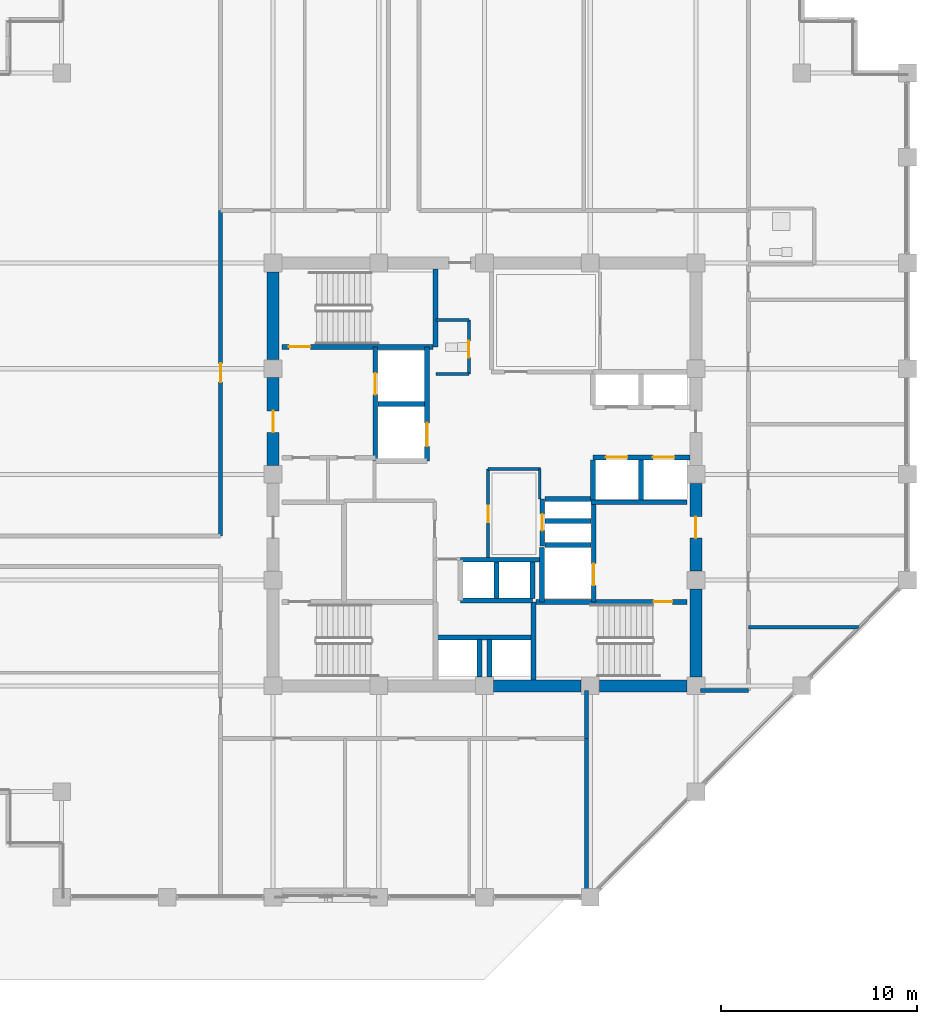
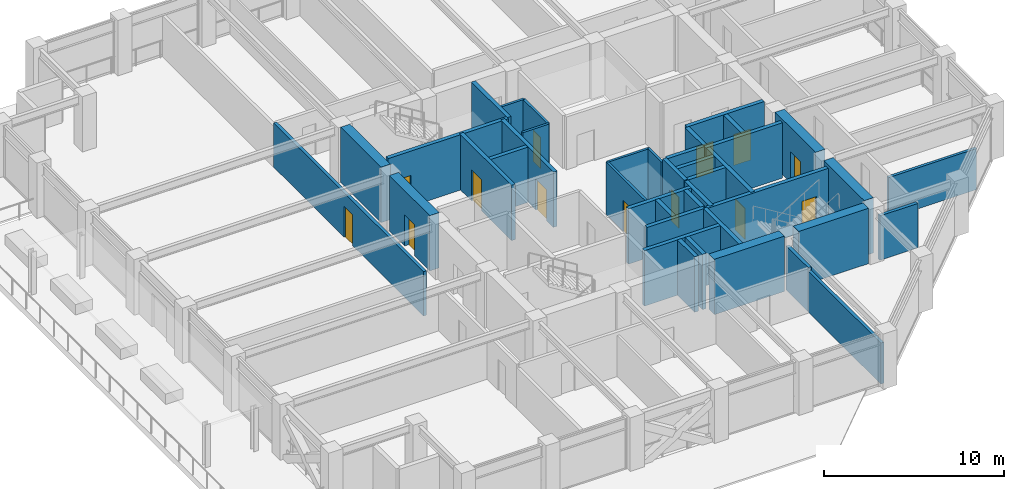
# One storey, part 26 of 36: 41 walls, 13 doors, 13 openings.
"""IFC4 building model written with IfcOpenShell, lengths in metres."""

from ifc_helpers import new_model, si_unit, direction, frame, frame_2d, origin, place, context, subcontext, project, spatial, rectangle, extrude, material, layer, layer_set, type_object, element, fill, save


model = new_model("IFC4")

# Units and contexts
model_context = context("Model", 3, precision=1e-05, world=origin(), true_north=direction((0.0, 1.0)))
body_context = subcontext(model_context, "Body", "Model", "MODEL_VIEW")
ifc_project = project(units=[si_unit("LENGTHUNIT", "METRE"), si_unit("AREAUNIT", "SQUARE_METRE"), si_unit("VOLUMEUNIT", "CUBIC_METRE"), si_unit("PLANEANGLEUNIT", "RADIAN"), si_unit("MASSUNIT", "GRAM", prefix="KILO")], contexts=[model_context])

# Site, building, storey
site_placement = place(None, origin())
site = spatial("IfcSite", under=ifc_project, at=site_placement, CompositionType="ELEMENT")
building_placement = place(site_placement, origin())
building = spatial("IfcBuilding", under=site, at=building_placement, Name="Surkhivell Harbour Commons", CompositionType="ELEMENT")
storey_placement = place(building_placement, frame((0.0, 0.0, 171.0)))
storey = spatial("IfcBuildingStorey", under=building, at=storey_placement, Name="L44", CompositionType="ELEMENT", Elevation=171.0)

# Wall
ifc_material_1 = material(Name="Concrete C60/75", Category="concrete")
ifc_layer_1 = layer(ifc_material_1, 0.60009765625)
ifc_layer_set_1 = layer_set([ifc_layer_1], Name="Concrete C60/75")
wall_type_1 = type_object("IfcWallType", Name="WAL-CORE-600", PredefinedType="SHEAR", material=ifc_layer_set_1)
wall_1_placement = place(storey_placement, frame((10.800048828125, -10.340087890625, 0.0), z_axis=(0.0, 0.0, 1.0), x_axis=(0.0, 1.0, 0.0)))
element("IfcWall", 1, at=wall_1_placement, inside=storey, type_object=wall_type_1, Name="L44 Core Shear Wall East 1", PredefinedType="SHEAR", context=body_context, shape_type="SweptSolid", body=[
    extrude(rectangle(XDim=4.47998046875, YDim=0.60009765625, at=frame_2d((2.239990234375, 0.0))), origin(), (0.0, 0.0, 1.0), 3.75),
])

# Wall, opening, door
wall_2_placement = place(storey_placement, frame((10.800048828125, -4.93994140625, 0.0), z_axis=(0.0, 0.0, 1.0), x_axis=(0.0, 1.0, 0.0)))
wall_2 = element("IfcWall", 2, at=wall_2_placement, inside=storey, type_object=wall_type_1, Name="L44 Core Shear Wall East 2", PredefinedType="SHEAR", context=body_context, shape_type="SweptSolid", body=[
    extrude(rectangle(XDim=4.47998046875, YDim=0.60009765625, at=frame_2d((2.239990234375, 0.0))), origin(), (0.0, 0.0, 1.0), 3.75),
])
opening_1_placement = place(wall_2_placement, frame((1.68994140625, 0.0, 0.0)))
opening_1 = element("IfcOpeningElement", 3, at=opening_1_placement, cuts=wall_2, Name="Opening ID-1", PredefinedType="OPENING", context=body_context, shape_type="SweptSolid", body=[
    extrude(rectangle(XDim=1.10009765625, YDim=2.10009765625, at=frame_2d((0.550048828125, 1.050048828125))), frame((0.0, 0.31005859375, 0.0), z_axis=(0.0, -1.0, 0.0), x_axis=(1.0, 0.0, 0.0)), (0.0, 0.0, 1.0), 0.6201171875),
])
ifc_material_2 = material(Name="Hardwood-veneered fire-rated door leaf", Category="wood")
door_type_1 = type_object("IfcDoorType", Name="DOR-FD120-1100", OperationType="NOTDEFINED", PredefinedType="DOOR", material=ifc_material_2)
door_1_placement = place(opening_1_placement, origin())
door_1 = element("IfcDoor", 4, at=door_1_placement, inside=storey, type_object=door_type_1, Name="L44 Firefighting Lobby 2 Corridor Door", OperationType="SINGLE_SWING_RIGHT", OverallHeight=2.10009765625, OverallWidth=1.10009765625, PredefinedType="DOOR", context=body_context, shape_type="SweptSolid", body=[
    extrude(rectangle(XDim=1.10009765625, YDim=2.10009765625, at=frame_2d((0.550048828125, 1.050048828125))), frame((0.0, 0.02490234375, 0.0), z_axis=(0.0, -1.0, 0.0), x_axis=(1.0, 0.0, 0.0)), (0.0, 0.0, 1.0), 0.050048828125),
])
fill(opening_1, door_1)

# Wall
wall_3_placement = place(storey_placement, frame((0.4599609375, -10.800048828125, 0.0), z_axis=(0.0, 0.0, 1.0), x_axis=(1.0, 0.0, 0.0)))
element("IfcWall", 5, at=wall_3_placement, inside=storey, type_object=wall_type_1, Name="L44 Core Shear Wall South 3", PredefinedType="SHEAR", context=body_context, shape_type="SweptSolid", body=[
    extrude(rectangle(XDim=4.47998046875, YDim=0.60009765625, at=frame_2d((2.239990234375, 0.0))), origin(), (0.0, 0.0, 1.0), 3.75),
])

# Wall, opening, door
wall_4_placement = place(storey_placement, frame((-10.800048828125, 0.4599609375, 0.0), z_axis=(0.0, 0.0, 1.0), x_axis=(0.0, 1.0, 0.0)))
wall_4 = element("IfcWall", 6, at=wall_4_placement, inside=storey, type_object=wall_type_1, Name="L44 Core Shear Wall West 3", PredefinedType="SHEAR", context=body_context, shape_type="SweptSolid", body=[
    extrude(rectangle(XDim=4.47998046875, YDim=0.60009765625, at=frame_2d((2.239990234375, 0.0))), origin(), (0.0, 0.0, 1.0), 3.75),
])
opening_2_placement = place(wall_4_placement, frame((1.68994140625, 0.0, 0.0)))
opening_2 = element("IfcOpeningElement", 7, at=opening_2_placement, cuts=wall_4, Name="Opening ID-1", PredefinedType="OPENING", context=body_context, shape_type="SweptSolid", body=[
    extrude(rectangle(XDim=1.10009765625, YDim=2.10009765625, at=frame_2d((0.550048828125, 1.050048828125))), frame((0.0, 0.31005859375, 0.0), z_axis=(0.0, -1.0, 0.0), x_axis=(1.0, 0.0, 0.0)), (0.0, 0.0, 1.0), 0.6201171875),
])
door_2_placement = place(opening_2_placement, origin())
door_2 = element("IfcDoor", 8, at=door_2_placement, inside=storey, type_object=door_type_1, Name="L44 Firefighting Lobby 1 Corridor Door", OperationType="SINGLE_SWING_LEFT", OverallHeight=2.10009765625, OverallWidth=1.10009765625, PredefinedType="DOOR", context=body_context, shape_type="SweptSolid", body=[
    extrude(rectangle(XDim=1.10009765625, YDim=2.10009765625, at=frame_2d((0.550048828125, 1.050048828125))), frame((0.0, 0.02490234375, 0.0), z_axis=(0.0, -1.0, 0.0), x_axis=(1.0, 0.0, 0.0)), (0.0, 0.0, 1.0), 0.050048828125),
])
fill(opening_2, door_2)

# Walls
for number, where, z_axis, x_axis, name in (
    (9, (5.860107421875, -10.800048828125, 0.0), (0.0, 0.0, 1.0), (1.0, 0.0, 0.0), "L44 Core Shear Wall South 4"),
    (10, (-10.800048828125, 5.860107421875, 0.0), (0.0, 0.0, 1.0), (0.0, 1.0, 0.0), "L44 Core Shear Wall West 4"),
):
    element("IfcWall", number, at=place(storey_placement, frame(where, z_axis=z_axis, x_axis=x_axis)), inside=storey, type_object=wall_type_1, Name=name, PredefinedType="SHEAR", context=body_context, shape_type="SweptSolid", body=[
        extrude(rectangle(XDim=4.47998046875, YDim=0.60009765625, at=frame_2d((2.239990234375, 0.0))), origin(), (0.0, 0.0, 1.0), 3.75),
    ])

# Wall, opening, door
ifc_material_3 = material(Name="Twin-stud acoustic fireboard partition", Category="other")
ifc_layer_2 = layer(ifc_material_3, 0.14990234375)
ifc_layer_set_2 = layer_set([ifc_layer_2], Name="Twin-stud acoustic fireboard partition")
wall_type_2 = type_object("IfcWallType", Name="WAL-INT-150", PredefinedType="PARTITIONING", material=ifc_layer_set_2)
wall_5_placement = place(storey_placement, frame((-0.800048828125, 5.1201171875, 0.0), z_axis=(0.0, 0.0, 1.0), x_axis=(0.0, 1.0, 0.0)))
wall_5 = element("IfcWall", 11, at=wall_5_placement, inside=storey, type_object=wall_type_2, Name="L44 Core Accessible WC East Wall", PredefinedType="PARTITIONING", context=body_context, shape_type="SweptSolid", body=[
    extrude(rectangle(XDim=2.759765625, YDim=0.14990234375, at=frame_2d((1.3798828125, 0.0))), origin(), (0.0, 0.0, 1.0), 3.570068359375),
])
opening_3_placement = place(wall_5_placement, frame((0.85009765625, 0.0, 0.0)))
opening_3 = element("IfcOpeningElement", 12, at=opening_3_placement, cuts=wall_5, Name="Opening ID-6", PredefinedType="OPENING", context=body_context, shape_type="SweptSolid", body=[
    extrude(rectangle(XDim=0.85009765625, YDim=2.10009765625, at=frame_2d((0.425048828125, 1.050048828125))), frame((0.0, 0.0849609375, 0.0), z_axis=(0.0, -1.0, 0.0), x_axis=(1.0, 0.0, 0.0)), (0.0, 0.0, 1.0), 0.169921875),
])
door_type_2 = type_object("IfcDoorType", Name="DOR-FD30-850", OperationType="NOTDEFINED", PredefinedType="DOOR", material=ifc_material_2)
door_3_placement = place(opening_3_placement, origin())
door_3 = element("IfcDoor", 13, at=door_3_placement, inside=storey, type_object=door_type_2, Name="L44 Floor Accessible WC Door", OperationType="SINGLE_SWING_LEFT", OverallHeight=2.10009765625, OverallWidth=0.85009765625, PredefinedType="DOOR", context=body_context, shape_type="SweptSolid", body=[
    extrude(rectangle(XDim=0.85009765625, YDim=2.10009765625, at=frame_2d((0.425048828125, 1.050048828125))), frame((0.0, 0.02490234375, 0.0), z_axis=(0.0, -1.0, 0.0), x_axis=(1.0, 0.0, 0.0)), (0.0, 0.0, 1.0), 0.050048828125),
])
fill(opening_3, door_3)

# Walls
for number, where, z_axis, x_axis, name in (
    (14, (-2.47998046875, 7.8798828125, 0.0), (0.0, 0.0, 1.0), (1.0, 0.0, 0.0), "L44 Core Accessible WC North Wall"),
    (15, (-2.47998046875, 5.1201171875, 0.0), (0.0, 0.0, 1.0), (1.0, 0.0, 0.0), "L44 Core Accessible WC South Wall"),
):
    element("IfcWall", number, at=place(storey_placement, frame(where, z_axis=z_axis, x_axis=x_axis)), inside=storey, type_object=wall_type_2, Name=name, PredefinedType="PARTITIONING", context=body_context, shape_type="SweptSolid", body=[
        extrude(rectangle(XDim=1.679931640625, YDim=0.14990234375, at=frame_2d((0.83984375, 0.0))), origin(), (0.0, 0.0, 1.0), 3.570068359375),
    ])
wall_6_placement = place(storey_placement, frame((2.820068359375, -1.25, 0.0), z_axis=(0.0, 0.0, 1.0), x_axis=(0.0, 1.0, 0.0)))
element("IfcWall", 16, at=wall_6_placement, inside=storey, type_object=wall_type_2, Name="L44 Central Music East Wall", PredefinedType="PARTITIONING", context=body_context, shape_type="SweptSolid", body=[
    extrude(rectangle(XDim=1.530029296875, YDim=0.14990234375, at=frame_2d((0.76513671875, 0.0))), origin(), (0.0, 0.0, 1.0), 3.570068359375),
])
wall_7_placement = place(storey_placement, frame((0.179931640625, 0.280029296875, 0.0), z_axis=(0.0, 0.0, 1.0), x_axis=(1.0, 0.0, 0.0)))
element("IfcWall", 17, at=wall_7_placement, inside=storey, type_object=wall_type_2, Name="L44 Central Music North Wall", PredefinedType="PARTITIONING", context=body_context, shape_type="SweptSolid", body=[
    extrude(rectangle(XDim=2.670166015625, YDim=0.14990234375, at=frame_2d((1.3349609375, 0.0))), origin(), (0.0, 0.0, 1.0), 3.570068359375),
])

# Wall, opening, door
wall_8_placement = place(storey_placement, frame((0.179931640625, -4.25, 0.0), z_axis=(0.0, 0.0, 1.0), x_axis=(0.0, 1.0, 0.0)))
wall_8 = element("IfcWall", 18, at=wall_8_placement, inside=storey, type_object=wall_type_2, Name="L44 Central Music West Wall", PredefinedType="PARTITIONING", context=body_context, shape_type="SweptSolid", body=[
    extrude(rectangle(XDim=4.530029296875, YDim=0.14990234375, at=frame_2d((2.26513671875, 0.0))), origin(), (0.0, 0.0, 1.0), 3.570068359375),
])
opening_4_placement = place(wall_8_placement, frame((1.800048828125, 0.0, 0.0)))
opening_4 = element("IfcOpeningElement", 19, at=opening_4_placement, cuts=wall_8, Name="Opening ID-6", PredefinedType="OPENING", context=body_context, shape_type="SweptSolid", body=[
    extrude(rectangle(XDim=0.85009765625, YDim=2.10009765625, at=frame_2d((0.425048828125, 1.050048828125))), frame((0.0, 0.0849609375, 0.0), z_axis=(0.0, -1.0, 0.0), x_axis=(1.0, 0.0, 0.0)), (0.0, 0.0, 1.0), 0.169921875),
])
door_4_placement = place(opening_4_placement, origin())
door_4 = element("IfcDoor", 20, at=door_4_placement, inside=storey, type_object=door_type_2, Name="L44 Central Music Door", OperationType="SINGLE_SWING_RIGHT", OverallHeight=2.10009765625, OverallWidth=0.85009765625, PredefinedType="DOOR", context=body_context, shape_type="SweptSolid", body=[
    extrude(rectangle(XDim=0.85009765625, YDim=2.10009765625, at=frame_2d((0.425048828125, 1.050048828125))), frame((0.0, 0.02490234375, 0.0), z_axis=(0.0, -1.0, 0.0), x_axis=(1.0, 0.0, 0.0)), (0.0, 0.0, 1.0), 0.050048828125),
])
fill(opening_4, door_4)

# Walls
ifc_material_4 = material(Name="High-density acoustic blockwork fire partition", Category="masonry")
ifc_layer_3 = layer(ifc_material_4, 0.175048828125)
ifc_layer_set_3 = layer_set([ifc_layer_3], Name="High-density acoustic blockwork fire partition")
wall_type_3 = type_object("IfcWallType", Name="WAL-INT-175", PredefinedType="PARTITIONING", material=ifc_layer_set_3)
wall_9_placement = place(storey_placement, frame((13.47998046875, -7.800048828125, 0.0), z_axis=(0.0, 0.0, 1.0), x_axis=(1.0, 0.0, 0.0)))
element("IfcWall", 21, at=wall_9_placement, inside=storey, type_object=wall_type_3, Name="L44 East Partition PBOT", PredefinedType="PARTITIONING", context=body_context, shape_type="SweptSolid", body=[
    extrude(rectangle(XDim=5.63525390625, YDim=0.175048828125, at=frame_2d((2.817626953125, 0.0))), origin(), (0.0, 0.0, 1.0), 2.780029296875),
])
ifc_material_5 = material(Name="Autoclaved aerated concrete blockwork and fire plaster", Category="masonry")
ifc_layer_4 = layer(ifc_material_5, 0.199951171875)
ifc_layer_set_4 = layer_set([ifc_layer_4], Name="Autoclaved aerated concrete blockwork and fire plaster")
wall_type_4 = type_object("IfcWallType", Name="WAL-INT-200", PredefinedType="PARTITIONING", material=ifc_layer_set_4)
wall_10_placement = place(storey_placement, frame((5.199951171875, -21.5400390625, 0.0), z_axis=(0.0, 0.0, 1.0), x_axis=(0.0, 1.0, 0.0)))
element("IfcWall", 22, at=wall_10_placement, inside=storey, type_object=wall_type_4, Name="L44 South-East Corner Wall", PredefinedType="PARTITIONING", context=body_context, shape_type="SweptSolid", body=[
    extrude(rectangle(XDim=8.06005859375, YDim=0.199951171875, at=frame_2d((4.030029296875, 0.0))), origin(), (0.0, 0.0, 1.0), 2.780029296875),
])
for number, where, z_axis, x_axis, name in (
    (23, (11.0400390625, -11.0400390625, 0.0), (0.0, 0.0, 1.0), (1.0, 0.0, 0.0), "L44 Corridor East South Closure Wall"),
    (24, (5.199951171875, -13.47998046875, 0.0), (0.0, 0.0, 1.0), (0.0, 1.0, 0.0), "L44 Corridor South End Wall"),
):
    element("IfcWall", number, at=place(storey_placement, frame(where, z_axis=z_axis, x_axis=x_axis)), inside=storey, type_object=wall_type_4, Name=name, PredefinedType="PARTITIONING", context=body_context, shape_type="SweptSolid", body=[
        extrude(rectangle(XDim=2.43994140625, YDim=0.199951171875, at=frame_2d((1.219970703125, 0.0))), origin(), (0.0, 0.0, 1.0), 3.006103515625),
    ])

# Wall, opening, door
wall_11_placement = place(storey_placement, frame((-13.47998046875, -3.14990234375, 0.0), z_axis=(0.0, 0.0, 1.0), x_axis=(0.0, 1.0, 0.0)))
wall_11 = element("IfcWall", 25, at=wall_11_placement, inside=storey, type_object=wall_type_4, Name="L44 Corridor West-Upper Wall", PredefinedType="PARTITIONING", context=body_context, shape_type="SweptSolid", body=[
    extrude(rectangle(XDim=16.6298828125, YDim=0.199951171875, at=frame_2d((8.31494140625, 0.0))), origin(), (0.0, 0.0, 1.0), 3.006103515625),
])
opening_5_placement = place(wall_11_placement, frame((7.864990234375, 0.0, 0.0)))
opening_5 = element("IfcOpeningElement", 26, at=opening_5_placement, cuts=wall_11, Name="Opening ID-4", PredefinedType="OPENING", context=body_context, shape_type="SweptSolid", body=[
    extrude(rectangle(XDim=0.949951171875, YDim=2.10009765625, at=frame_2d((0.47509765625, 1.050048828125))), frame((0.0, 0.10986328125, 0.0), z_axis=(0.0, -1.0, 0.0), x_axis=(1.0, 0.0, 0.0)), (0.0, 0.0, 1.0), 0.219970703125),
])
door_type_3 = type_object("IfcDoorType", Name="DOR-FD60-950", OperationType="NOTDEFINED", PredefinedType="DOOR", material=ifc_material_2)
door_5_placement = place(opening_5_placement, origin())
door_5 = element("IfcDoor", 27, at=door_5_placement, inside=storey, type_object=door_type_3, Name="L44 Harbour Social Lounge North-West Door", OperationType="SINGLE_SWING_LEFT", OverallHeight=2.10009765625, OverallWidth=0.949951171875, PredefinedType="DOOR", context=body_context, shape_type="SweptSolid", body=[
    extrude(rectangle(XDim=0.949951171875, YDim=2.10009765625, at=frame_2d((0.47509765625, 1.050048828125))), frame((0.0, 0.02490234375, 0.0), z_axis=(0.0, -1.0, 0.0), x_axis=(1.0, 0.0, 0.0)), (0.0, 0.0, 1.0), 0.050048828125),
])
fill(opening_5, door_5)

ifc_material_6 = material(Name="Concrete C50/60", Category="concrete")
ifc_layer_5 = layer(ifc_material_6, 0.25)
ifc_layer_set_5 = layer_set([ifc_layer_5], Name="Concrete C50/60")
wall_type_5 = type_object("IfcWallType", Name="WAL-SHAFT-250", PredefinedType="SHEAR", material=ifc_layer_set_5)
wall_12_placement = place(storey_placement, frame((-5.580078125, 0.719970703125, 0.0), z_axis=(0.0, 0.0, 1.0), x_axis=(0.0, 1.0, 0.0)))
wall_12 = element("IfcWall", 28, at=wall_12_placement, inside=storey, type_object=wall_type_5, Name="L44 Firefighting Lobby 1 East Shaft Wall", PredefinedType="SHEAR", context=body_context, shape_type="SweptSolid", body=[
    extrude(rectangle(XDim=5.7900390625, YDim=0.25, at=frame_2d((2.89501953125, 0.0))), origin(), (0.0, 0.0, 1.0), 3.75),
])
opening_6_placement = place(wall_12_placement, frame((3.35009765625, 0.0, 0.0)))
opening_6 = element("IfcOpeningElement", 29, at=opening_6_placement, cuts=wall_12, Name="Opening LD-1", PredefinedType="OPENING", context=body_context, shape_type="SweptSolid", body=[
    extrude(rectangle(XDim=1.10009765625, YDim=2.10009765625, at=frame_2d((0.550048828125, 1.050048828125))), frame((0.0, 0.135009765625, 0.0), z_axis=(0.0, -1.0, 0.0), x_axis=(1.0, 0.0, 0.0)), (0.0, 0.0, 1.0), 0.27001953125),
])
ifc_material_7 = material(Name="Brushed stainless steel S355", Category="steel")
door_type_4 = type_object("IfcDoorType", Name="DOR-LD-1100", OperationType="SLIDING_TO_LEFT", PredefinedType="DOOR", material=ifc_material_7)
door_6_placement = place(opening_6_placement, origin())
door_6 = element("IfcDoor", 30, at=door_6_placement, inside=storey, type_object=door_type_4, Name="L44 Lift Landing Door LD-FFL1", OperationType="SLIDING_TO_LEFT", OverallHeight=2.10009765625, OverallWidth=1.10009765625, PredefinedType="DOOR", context=body_context, shape_type="SweptSolid", body=[
    extrude(rectangle(XDim=1.10009765625, YDim=2.10009765625, at=frame_2d((0.550048828125, 1.050048828125))), frame((0.0, 0.02490234375, 0.0), z_axis=(0.0, -1.0, 0.0), x_axis=(1.0, 0.0, 0.0)), (0.0, 0.0, 1.0), 0.050048828125),
])
fill(opening_6, door_6)

# Walls
wall_13_placement = place(storey_placement, frame((2.929931640625, -6.510009765625, 0.0), z_axis=(0.0, 0.0, 1.0), x_axis=(0.0, 1.0, 0.0)))
element("IfcWall", 31, at=wall_13_placement, inside=storey, type_object=wall_type_5, Name="L44 FFL2 West Shaft Wall", PredefinedType="SHEAR", context=body_context, shape_type="SweptSolid", body=[
    extrude(rectangle(XDim=2.7900390625, YDim=0.25, at=frame_2d((1.39501953125, 0.0))), origin(), (0.0, 0.0, 1.0), 3.75),
])
wall_14_placement = place(storey_placement, frame((5.43994140625, -1.419921875, 0.0), z_axis=(0.0, 0.0, 1.0), x_axis=(1.0, 0.0, 0.0)))
element("IfcWall", 32, at=wall_14_placement, inside=storey, type_object=wall_type_5, Name="L44 Firefighting Lobby 2 North Wall", PredefinedType="SHEAR", context=body_context, shape_type="SweptSolid", body=[
    extrude(rectangle(XDim=4.900146484375, YDim=0.25, at=frame_2d((2.4501953125, 0.0))), origin(), (0.0, 0.0, 1.0), 3.75),
])
wall_15_placement = place(storey_placement, frame((3.080078125, -3.60009765625, 0.0), z_axis=(0.0, 0.0, 1.0), x_axis=(1.0, 0.0, 0.0)))
element("IfcWall", 33, at=wall_15_placement, inside=storey, type_object=wall_type_5, Name="L44 FFL2 North Shaft Wall", PredefinedType="SHEAR", context=body_context, shape_type="SweptSolid", body=[
    extrude(rectangle(XDim=2.369873046875, YDim=0.25, at=frame_2d((1.18505859375, 0.0))), origin(), (0.0, 0.0, 1.0), 3.75),
])

# Wall, opening, door
wall_16_placement = place(storey_placement, frame((5.580078125, -6.510009765625, 0.0), z_axis=(0.0, 0.0, 1.0), x_axis=(0.0, 1.0, 0.0)))
wall_16 = element("IfcWall", 34, at=wall_16_placement, inside=storey, type_object=wall_type_5, Name="L44 Firefighting Lobby 2 West Shaft Wall", PredefinedType="SHEAR", context=body_context, shape_type="SweptSolid", body=[
    extrude(rectangle(XDim=5.090087890625, YDim=0.25, at=frame_2d((2.544921875, 0.0))), origin(), (0.0, 0.0, 1.0), 3.75),
])
opening_7_placement = place(wall_16_placement, frame((0.85009765625, 0.0, 0.0)))
opening_7 = element("IfcOpeningElement", 35, at=opening_7_placement, cuts=wall_16, Name="Opening LD-1", PredefinedType="OPENING", context=body_context, shape_type="SweptSolid", body=[
    extrude(rectangle(XDim=1.10009765625, YDim=2.10009765625, at=frame_2d((0.550048828125, 1.050048828125))), frame((0.0, 0.135009765625, 0.0), z_axis=(0.0, -1.0, 0.0), x_axis=(1.0, 0.0, 0.0)), (0.0, 0.0, 1.0), 0.27001953125),
])
door_7_placement = place(opening_7_placement, origin())
door_7 = element("IfcDoor", 36, at=door_7_placement, inside=storey, type_object=door_type_4, Name="L44 Lift Landing Door LD-FFL2", OperationType="SLIDING_TO_RIGHT", OverallHeight=2.10009765625, OverallWidth=1.10009765625, PredefinedType="DOOR", context=body_context, shape_type="SweptSolid", body=[
    extrude(rectangle(XDim=1.10009765625, YDim=2.10009765625, at=frame_2d((0.550048828125, 1.050048828125))), frame((0.0, 0.02490234375, 0.0), z_axis=(0.0, -1.0, 0.0), x_axis=(1.0, 0.0, 0.0)), (0.0, 0.0, 1.0), 0.050048828125),
])
fill(opening_7, door_7)

# Walls
for number, where, z_axis, x_axis, name in (
    (37, (0.6201171875, -6.340087890625, 0.0), (0.0, 0.0, 1.0), (0.0, 1.0, 0.0), "L44 High-Rise Side Wall N"),
    (38, (2.449951171875, -6.340087890625, 0.0), (0.0, 0.0, 1.0), (0.0, 1.0, 0.0), "L44 High-Rise Side Wall N"),
):
    element("IfcWall", number, at=place(storey_placement, frame(where, z_axis=z_axis, x_axis=x_axis)), inside=storey, type_object=wall_type_5, Name=name, PredefinedType="SHEAR", context=body_context, shape_type="SweptSolid", body=[
        extrude(rectangle(XDim=1.880126953125, YDim=0.25, at=frame_2d((0.93994140625, 0.0))), origin(), (0.0, 0.0, 1.0), 3.75),
    ])
for number, where, z_axis, x_axis, name in (
    (39, (-0.25, -10.35009765625, 0.0), (0.0, 0.0, 1.0), (0.0, 1.0, 0.0), "L44 High-Rise Side Wall S"),
    (40, (0.25, -10.35009765625, 0.0), (0.0, 0.0, 1.0), (0.0, 1.0, 0.0), "L44 High-Rise Side Wall S"),
):
    element("IfcWall", number, at=place(storey_placement, frame(where, z_axis=z_axis, x_axis=x_axis)), inside=storey, type_object=wall_type_5, Name=name, PredefinedType="SHEAR", context=body_context, shape_type="SweptSolid", body=[
        extrude(rectangle(XDim=1.91015625, YDim=0.25, at=frame_2d((0.955078125, 0.0))), origin(), (0.0, 0.0, 1.0), 3.75),
    ])
wall_17_placement = place(storey_placement, frame((-1.219970703125, -6.43994140625, 0.0), z_axis=(0.0, 0.0, 1.0), x_axis=(1.0, 0.0, 0.0)))
element("IfcWall", 41, at=wall_17_placement, inside=storey, type_object=wall_type_5, Name="L44 High-Rise North Front Shaft Wall", PredefinedType="SHEAR", context=body_context, shape_type="SweptSolid", body=[
    extrude(rectangle(XDim=3.669921875, YDim=0.25, at=frame_2d((1.8349609375, 0.0))), origin(), (0.0, 0.0, 1.0), 3.75),
])
wall_18_placement = place(storey_placement, frame((-2.47998046875, -8.320068359375, 0.0), z_axis=(0.0, 0.0, 1.0), x_axis=(1.0, 0.0, 0.0)))
element("IfcWall", 42, at=wall_18_placement, inside=storey, type_object=wall_type_5, Name="L44 High-Rise South Front Shaft Wall", PredefinedType="SHEAR", context=body_context, shape_type="SweptSolid", body=[
    extrude(rectangle(XDim=4.929931640625, YDim=0.25, at=frame_2d((2.46484375, 0.0))), origin(), (0.0, 0.0, 1.0), 3.75),
])
wall_19_placement = place(storey_placement, frame((-1.219970703125, -4.360107421875, 0.0), z_axis=(0.0, 0.0, 1.0), x_axis=(1.0, 0.0, 0.0)))
element("IfcWall", 43, at=wall_19_placement, inside=storey, type_object=wall_type_5, Name="L44 High-Rise North Back Shaft Wall", PredefinedType="SHEAR", context=body_context, shape_type="SweptSolid", body=[
    extrude(rectangle(XDim=4.030029296875, YDim=0.25, at=frame_2d((2.01513671875, 0.0))), origin(), (0.0, 0.0, 1.0), 3.75),
])
for number, where, z_axis, x_axis, name in (
    (44, (5.550048828125, -1.300048828125, 0.0), (0.0, 0.0, 1.0), (0.0, 1.0, 0.0), "L44 Mid-Rise Shaft Side Wall S"),
    (45, (8.0, -1.300048828125, 0.0), (0.0, 0.0, 1.0), (0.0, 1.0, 0.0), "L44 Mid-Rise Shaft Side Wall S"),
):
    element("IfcWall", number, at=place(storey_placement, frame(where, z_axis=z_axis, x_axis=x_axis)), inside=storey, type_object=wall_type_5, Name=name, PredefinedType="SHEAR", context=body_context, shape_type="SweptSolid", body=[
        extrude(rectangle(XDim=2.0400390625, YDim=0.25, at=frame_2d((1.02001953125, 0.0))), origin(), (0.0, 0.0, 1.0), 3.75),
    ])

# Wall, openings, doors
wall_20_placement = place(storey_placement, frame((5.550048828125, 0.8701171875, 0.0), z_axis=(0.0, 0.0, 1.0), x_axis=(1.0, 0.0, 0.0)))
wall_20 = element("IfcWall", 46, at=wall_20_placement, inside=storey, type_object=wall_type_5, Name="L44 Mid-Rise South Front Shaft Wall", PredefinedType="SHEAR", context=body_context, shape_type="SweptSolid", body=[
    extrude(rectangle(XDim=4.949951171875, YDim=0.25, at=frame_2d((2.47509765625, 0.0))), origin(), (0.0, 0.0, 1.0), 3.75),
])
opening_8_placement = place(wall_20_placement, frame((0.64990234375, 0.0, 0.0)))
opening_8 = element("IfcOpeningElement", 47, at=opening_8_placement, cuts=wall_20, Name="Opening LD-1", PredefinedType="OPENING", context=body_context, shape_type="SweptSolid", body=[
    extrude(rectangle(XDim=1.10009765625, YDim=2.10009765625, at=frame_2d((0.550048828125, 1.050048828125))), frame((0.0, 0.135009765625, 0.0), z_axis=(0.0, -1.0, 0.0), x_axis=(1.0, 0.0, 0.0)), (0.0, 0.0, 1.0), 0.27001953125),
])
opening_9_placement = place(wall_20_placement, frame((3.050048828125, 0.0, 0.0)))
opening_9 = element("IfcOpeningElement", 48, at=opening_9_placement, cuts=wall_20, Name="Opening LD-1", PredefinedType="OPENING", context=body_context, shape_type="SweptSolid", body=[
    extrude(rectangle(XDim=1.10009765625, YDim=2.10009765625, at=frame_2d((0.550048828125, 1.050048828125))), frame((0.0, 0.135009765625, 0.0), z_axis=(0.0, -1.0, 0.0), x_axis=(1.0, 0.0, 0.0)), (0.0, 0.0, 1.0), 0.27001953125),
])
door_8_placement = place(opening_8_placement, origin())
door_8 = element("IfcDoor", 49, at=door_8_placement, inside=storey, type_object=door_type_4, Name="L44 Lift Landing Door LD-PM3", OperationType="SLIDING_TO_RIGHT", OverallHeight=2.10009765625, OverallWidth=1.10009765625, PredefinedType="DOOR", context=body_context, shape_type="SweptSolid", body=[
    extrude(rectangle(XDim=1.10009765625, YDim=2.10009765625, at=frame_2d((0.550048828125, 1.050048828125))), frame((0.0, 0.02490234375, 0.0), z_axis=(0.0, -1.0, 0.0), x_axis=(1.0, 0.0, 0.0)), (0.0, 0.0, 1.0), 0.050048828125),
])
fill(opening_8, door_8)
door_9_placement = place(opening_9_placement, origin())
door_9 = element("IfcDoor", 50, at=door_9_placement, inside=storey, type_object=door_type_4, Name="L44 Lift Landing Door LD-PM4", OperationType="SLIDING_TO_RIGHT", OverallHeight=2.10009765625, OverallWidth=1.10009765625, PredefinedType="DOOR", context=body_context, shape_type="SweptSolid", body=[
    extrude(rectangle(XDim=1.10009765625, YDim=2.10009765625, at=frame_2d((0.550048828125, 1.050048828125))), frame((0.0, 0.02490234375, 0.0), z_axis=(0.0, -1.0, 0.0), x_axis=(1.0, 0.0, 0.0)), (0.0, 0.0, 1.0), 0.050048828125),
])
fill(opening_9, door_9)

# Walls
for number, where, z_axis, x_axis, name in (
    (51, (3.080078125, -2.3798828125, 0.0), (0.0, 0.0, 1.0), (1.0, 0.0, 0.0), "L44 Riser Divider Wall"),
    (52, (3.080078125, -1.25, 0.0), (0.0, 0.0, 1.0), (1.0, 0.0, 0.0), "L44 Riser North Wall"),
):
    element("IfcWall", number, at=place(storey_placement, frame(where, z_axis=z_axis, x_axis=x_axis)), inside=storey, type_object=wall_type_5, Name=name, PredefinedType="SHEAR", context=body_context, shape_type="SweptSolid", body=[
        extrude(rectangle(XDim=2.369873046875, YDim=0.25, at=frame_2d((1.18505859375, 0.0))), origin(), (0.0, 0.0, 1.0), 3.75),
    ])

# Wall, opening, door
wall_21_placement = place(storey_placement, frame((2.949951171875, -3.64990234375, 0.0), z_axis=(0.0, 0.0, 1.0), x_axis=(0.0, 1.0, 0.0)))
wall_21 = element("IfcWall", 53, at=wall_21_placement, inside=storey, type_object=wall_type_5, Name="L44 Riser Shaft West Wall", PredefinedType="SHEAR", context=body_context, shape_type="SweptSolid", body=[
    extrude(rectangle(XDim=2.39990234375, YDim=0.25, at=frame_2d((1.199951171875, 0.0))), origin(), (0.0, 0.0, 1.0), 3.75),
])
opening_10_placement = place(wall_21_placement, frame((0.77490234375, 0.0, 0.0)))
opening_10 = element("IfcOpeningElement", 54, at=opening_10_placement, cuts=wall_21, Name="Opening ID-6", PredefinedType="OPENING", context=body_context, shape_type="SweptSolid", body=[
    extrude(rectangle(XDim=0.85009765625, YDim=2.10009765625, at=frame_2d((0.425048828125, 1.050048828125))), frame((0.0, 0.135009765625, 0.0), z_axis=(0.0, -1.0, 0.0), x_axis=(1.0, 0.0, 0.0)), (0.0, 0.0, 1.0), 0.27001953125),
])
door_10_placement = place(opening_10_placement, origin())
door_10 = element("IfcDoor", 55, at=door_10_placement, inside=storey, type_object=door_type_2, Name="L44 Electrical Riser Access Door", OperationType="SINGLE_SWING_LEFT", OverallHeight=2.10009765625, OverallWidth=0.85009765625, PredefinedType="DOOR", context=body_context, shape_type="SweptSolid", body=[
    extrude(rectangle(XDim=0.85009765625, YDim=2.10009765625, at=frame_2d((0.425048828125, 1.050048828125))), frame((0.0, 0.02490234375, 0.0), z_axis=(0.0, -1.0, 0.0), x_axis=(1.0, 0.0, 0.0)), (0.0, 0.0, 1.0), 0.050048828125),
])
fill(opening_10, door_10)

# Wall
wall_22_placement = place(storey_placement, frame((-2.510009765625, 6.510009765625, 0.0), z_axis=(0.0, 0.0, 1.0), x_axis=(0.0, 1.0, 0.0)))
element("IfcWall", 56, at=wall_22_placement, inside=storey, type_object=wall_type_5, Name="L44 Stair ST1 East Shear Wall", PredefinedType="SHEAR", context=body_context, shape_type="SweptSolid", body=[
    extrude(rectangle(XDim=3.989990234375, YDim=0.25, at=frame_2d((1.9951171875, 0.0))), origin(), (0.0, 0.0, 1.0), 3.75),
])

# Wall, opening, door
wall_23_placement = place(storey_placement, frame((-10.340087890625, 6.510009765625, 0.0), z_axis=(0.0, 0.0, 1.0), x_axis=(1.0, 0.0, 0.0)))
wall_23 = element("IfcWall", 57, at=wall_23_placement, inside=storey, type_object=wall_type_5, Name="L44 Stair ST1 South Shear Wall", PredefinedType="SHEAR", context=body_context, shape_type="SweptSolid", body=[
    extrude(rectangle(XDim=7.7001953125, YDim=0.25, at=frame_2d((3.85009765625, 0.0))), origin(), (0.0, 0.0, 1.0), 3.75),
])
opening_11_placement = place(wall_23_placement, frame((0.35009765625, 0.0, 0.0)))
opening_11 = element("IfcOpeningElement", 58, at=opening_11_placement, cuts=wall_23, Name="Opening ID-2", PredefinedType="OPENING", context=body_context, shape_type="SweptSolid", body=[
    extrude(rectangle(XDim=1.10009765625, YDim=2.10009765625, at=frame_2d((0.550048828125, 1.050048828125))), frame((0.0, 0.135009765625, 0.0), z_axis=(0.0, -1.0, 0.0), x_axis=(1.0, 0.0, 0.0)), (0.0, 0.0, 1.0), 0.27001953125),
])
door_type_5 = type_object("IfcDoorType", Name="DOR-FD60-1100", OperationType="NOTDEFINED", PredefinedType="DOOR", material=ifc_material_2)
door_11_placement = place(opening_11_placement, origin())
door_11 = element("IfcDoor", 59, at=door_11_placement, inside=storey, type_object=door_type_5, Name="L44 Stair ST1 Exit Door", OperationType="SINGLE_SWING_LEFT", OverallHeight=2.10009765625, OverallWidth=1.10009765625, PredefinedType="DOOR", context=body_context, shape_type="SweptSolid", body=[
    extrude(rectangle(XDim=1.10009765625, YDim=2.10009765625, at=frame_2d((0.550048828125, 1.050048828125))), frame((0.0, 0.02490234375, 0.0), z_axis=(0.0, -1.0, 0.0), x_axis=(1.0, 0.0, 0.0)), (0.0, 0.0, 1.0), 0.050048828125),
])
fill(opening_11, door_11)

wall_24_placement = place(storey_placement, frame((2.639892578125, -6.510009765625, 0.0), z_axis=(0.0, 0.0, 1.0), x_axis=(1.0, 0.0, 0.0)))
wall_24 = element("IfcWall", 60, at=wall_24_placement, inside=storey, type_object=wall_type_5, Name="L44 Stair ST2 North Shear Wall", PredefinedType="SHEAR", context=body_context, shape_type="SweptSolid", body=[
    extrude(rectangle(XDim=7.7001953125, YDim=0.25, at=frame_2d((3.85009765625, 0.0))), origin(), (0.0, 0.0, 1.0), 3.75),
])
opening_12_placement = place(wall_24_placement, frame((6.0, 0.0, 0.0)))
opening_12 = element("IfcOpeningElement", 61, at=opening_12_placement, cuts=wall_24, Name="Opening ID-4", PredefinedType="OPENING", context=body_context, shape_type="SweptSolid", body=[
    extrude(rectangle(XDim=0.949951171875, YDim=2.10009765625, at=frame_2d((0.47509765625, 1.050048828125))), frame((0.0, 0.135009765625, 0.0), z_axis=(0.0, -1.0, 0.0), x_axis=(1.0, 0.0, 0.0)), (0.0, 0.0, 1.0), 0.27001953125),
])
door_12_placement = place(opening_12_placement, origin())
door_12 = element("IfcDoor", 62, at=door_12_placement, inside=storey, type_object=door_type_3, Name="L44 Stair ST2 Exit Door", OperationType="SINGLE_SWING_RIGHT", OverallHeight=2.10009765625, OverallWidth=0.949951171875, PredefinedType="DOOR", context=body_context, shape_type="SweptSolid", body=[
    extrude(rectangle(XDim=0.949951171875, YDim=2.10009765625, at=frame_2d((0.47509765625, 1.050048828125))), frame((0.0, 0.02490234375, 0.0), z_axis=(0.0, -1.0, 0.0), x_axis=(1.0, 0.0, 0.0)), (0.0, 0.0, 1.0), 0.050048828125),
])
fill(opening_12, door_12)

# Wall
wall_25_placement = place(storey_placement, frame((2.510009765625, -10.5, 0.0), z_axis=(0.0, 0.0, 1.0), x_axis=(0.0, 1.0, 0.0)))
element("IfcWall", 63, at=wall_25_placement, inside=storey, type_object=wall_type_5, Name="L44 Stair ST2 West Shear Wall", PredefinedType="SHEAR", context=body_context, shape_type="SweptSolid", body=[
    extrude(rectangle(XDim=3.989990234375, YDim=0.25, at=frame_2d((1.9951171875, 0.0))), origin(), (0.0, 0.0, 1.0), 3.75),
])

# Wall, opening, door
wall_26_placement = place(storey_placement, frame((-2.929931640625, 0.679931640625, 0.0), z_axis=(0.0, 0.0, 1.0), x_axis=(0.0, 1.0, 0.0)))
wall_26 = element("IfcWall", 64, at=wall_26_placement, inside=storey, type_object=wall_type_5, Name="L44 Service and Fire Lift East Shaft Wall", PredefinedType="SHEAR", context=body_context, shape_type="SweptSolid", body=[
    extrude(rectangle(XDim=5.830078125, YDim=0.25, at=frame_2d((2.9150390625, 0.0))), origin(), (0.0, 0.0, 1.0), 3.75),
])
opening_13_placement = place(wall_26_placement, frame((0.75, 0.0, 0.0)))
opening_13 = element("IfcOpeningElement", 65, at=opening_13_placement, cuts=wall_26, Name="Opening LD-2", PredefinedType="OPENING", context=body_context, shape_type="SweptSolid", body=[
    extrude(rectangle(XDim=1.199951171875, YDim=2.10009765625, at=frame_2d((0.60009765625, 1.050048828125))), frame((0.0, 0.135009765625, 0.0), z_axis=(0.0, -1.0, 0.0), x_axis=(1.0, 0.0, 0.0)), (0.0, 0.0, 1.0), 0.27001953125),
])
door_type_6 = type_object("IfcDoorType", Name="DOR-LD-1200", OperationType="SLIDING_TO_LEFT", PredefinedType="DOOR", material=ifc_material_7)
door_13_placement = place(opening_13_placement, origin())
door_13 = element("IfcDoor", 66, at=door_13_placement, inside=storey, type_object=door_type_6, Name="L44 Lift Landing Door LD-SVL1", OperationType="SLIDING_TO_LEFT", OverallHeight=2.10009765625, OverallWidth=1.199951171875, PredefinedType="DOOR", context=body_context, shape_type="SweptSolid", body=[
    extrude(rectangle(XDim=1.199951171875, YDim=2.10009765625, at=frame_2d((0.60009765625, 1.050048828125))), frame((0.0, 0.02490234375, 0.0), z_axis=(0.0, -1.0, 0.0), x_axis=(1.0, 0.0, 0.0)), (0.0, 0.0, 1.0), 0.050048828125),
])
fill(opening_13, door_13)

# Wall
wall_27_placement = place(storey_placement, frame((-5.449951171875, 3.60009765625, 0.0), z_axis=(0.0, 0.0, 1.0), x_axis=(1.0, 0.0, 0.0)))
element("IfcWall", 67, at=wall_27_placement, inside=storey, type_object=wall_type_5, Name="L44 FFL1/SVL1 Shaft Divider", PredefinedType="SHEAR", context=body_context, shape_type="SweptSolid", body=[
    extrude(rectangle(XDim=2.389892578125, YDim=0.25, at=frame_2d((1.19482421875, 0.0))), origin(), (0.0, 0.0, 1.0), 3.75),
])

save(model, "model.ifc")
